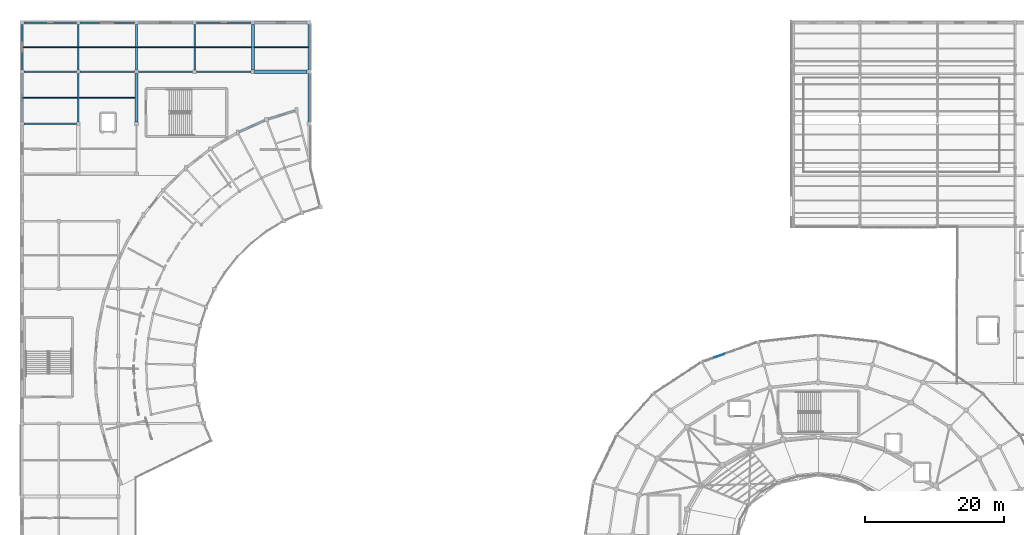
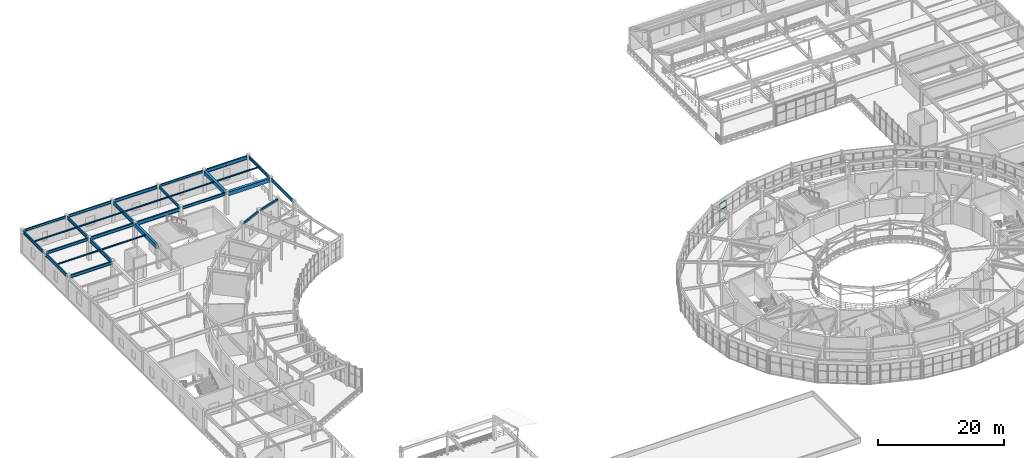
# One storey, part 51 of 112: 30 beams, 3 members, 1 element without a shape of its own.
"""IFC4 building model written with IfcOpenShell, lengths in metres."""

from ifc_helpers import new_model, si_unit, direction, frame, origin, origin_2d, place, context, subcontext, project, spatial, rectangle, hollow_rectangle, i_section, extrude, material, material_profile, profile_set, type_object, element, aggregate, save


model = new_model("IFC4")

# Units and contexts
model_context = context("Model", 3, precision=1e-05, world=origin(), true_north=direction((0.0, 1.0)))
body_context = subcontext(model_context, "Body", "Model", "MODEL_VIEW")
ifc_project = project(units=[si_unit("LENGTHUNIT", "METRE"), si_unit("AREAUNIT", "SQUARE_METRE"), si_unit("VOLUMEUNIT", "CUBIC_METRE"), si_unit("PLANEANGLEUNIT", "RADIAN"), si_unit("MASSUNIT", "GRAM", prefix="KILO")], contexts=[model_context])

# Site, building, storey
site_placement = place(None, origin())
site = spatial("IfcSite", under=ifc_project, at=site_placement, CompositionType="ELEMENT")
building_placement = place(site_placement, origin())
building = spatial("IfcBuilding", under=site, at=building_placement, Name="Cinderbank Siding Concert Hall", CompositionType="ELEMENT")
storey_placement = place(building_placement, frame((0.0, 0.0, 10.199951171875)))
storey = spatial("IfcBuildingStorey", under=building, at=storey_placement, Name="L03", CompositionType="ELEMENT", Elevation=10.199951171875)

# Beams
ifc_material_1 = material(Name="Reinforced concrete AS 3600 N50 (50 MPa)", Category="concrete")
ifc_material_profile_1 = material_profile(ifc_material_1, rectangle(XDim=0.449951171875, YDim=0.75, at=origin_2d()), Name="RC-BM-450x750", Category="LoadBearing")
ifc_profile_set_1 = profile_set([ifc_material_profile_1], Name="Reinforced concrete AS 3600 N50 (50 MPa)")
beam_type_1 = type_object("IfcBeamType", Name="BM-RC750 RC-BM-450x750", PredefinedType="BEAM", material=ifc_profile_set_1)
beam_1_placement = place(storey_placement, frame((23.60009765625, 103.56689453125, 3.886962890625), z_axis=(0.0, 1.0, 0.0), x_axis=(-1.0, 0.0, 0.0)))
element("IfcBeam", 1, at=beam_1_placement, inside=storey, type_object=beam_type_1, Name="L03 Beam BM-RC750 #1774", PredefinedType="BEAM", context=body_context, shape_type="SweptSolid", body=[
    extrude(rectangle(XDim=0.449951171875, YDim=0.75, at=origin_2d()), origin(), (0.0, 0.0, 1.0), 6.966064453125),
])
beam_2_placement = place(storey_placement, frame((40.6669921875, 110.800048828125, 3.886962890625), z_axis=(1.0, 0.0, 0.0), x_axis=(0.0, 1.0, 0.0)))
element("IfcBeam", 2, at=beam_2_placement, inside=storey, type_object=beam_type_1, Name="L03 Beam BM-RC750 #1781", PredefinedType="BEAM", context=body_context, shape_type="SweptSolid", body=[
    extrude(rectangle(XDim=0.449951171875, YDim=0.75, at=origin_2d()), origin(), (0.0, 0.0, 1.0), 7.56591796875),
])
beam_3_placement = place(storey_placement, frame((40.39990234375, 111.06689453125, 3.886962890625), z_axis=(0.0, 1.0, 0.0), x_axis=(-1.0, 0.0, 0.0)))
element("IfcBeam", 3, at=beam_3_placement, inside=storey, type_object=beam_type_1, Name="L03 Beam BM-RC750 #1782", PredefinedType="BEAM", context=body_context, shape_type="SweptSolid", body=[
    extrude(rectangle(XDim=0.449951171875, YDim=0.75, at=origin_2d()), origin(), (0.0, 0.0, 1.0), 6.566162109375),
])
ifc_material_2 = material(Name="Structural steel AS/NZS 3679.1 Grade 350 (340 MPa)", Category="steel")
ifc_material_profile_2 = material_profile(ifc_material_2, i_section(OverallWidth=0.18994140625, OverallDepth=0.45751953125, WebThickness=0.009033203125, FlangeThickness=0.014404296875, at=origin_2d()), Name="460UB74.6", Category="LoadBearing")
ifc_profile_set_2 = profile_set([ifc_material_profile_2], Name="Structural steel AS/NZS 3679.1 Grade 350 (340 MPa)")
beam_type_2 = type_object("IfcBeamType", Name="BM-UB460 460UB74.6", PredefinedType="BEAM", material=ifc_profile_set_2)
beam_4_placement = place(storey_placement, frame((7.366943359375, 117.89990234375, 4.033447265625), z_axis=(1.0, 0.0, 0.0), x_axis=(0.0, 1.0, 0.0)))
element("IfcBeam", 4, at=beam_4_placement, inside=storey, type_object=beam_type_2, Name="L03 Beam BM-UB460 #1766", PredefinedType="BEAM", context=body_context, shape_type="SweptSolid", body=[
    extrude(i_section(OverallWidth=0.18994140625, OverallDepth=0.45751953125, WebThickness=0.009033203125, FlangeThickness=0.014404296875, at=origin_2d()), origin(), (0.0, 0.0, 1.0), 7.566162109375),
])
beam_5_placement = place(storey_placement, frame((32.26708984375, 117.89990234375, 4.033447265625), z_axis=(1.0, 0.0, 0.0), x_axis=(0.0, 1.0, 0.0)))
element("IfcBeam", 5, at=beam_5_placement, inside=storey, type_object=beam_type_2, Name="L03 Beam BM-UB460 #1780", PredefinedType="BEAM", context=body_context, shape_type="SweptSolid", body=[
    extrude(i_section(OverallWidth=0.18994140625, OverallDepth=0.45751953125, WebThickness=0.009033203125, FlangeThickness=0.014404296875, at=origin_2d()), origin(), (0.0, 0.0, 1.0), 7.865966796875),
])
ifc_material_profile_3 = material_profile(ifc_material_2, i_section(OverallWidth=0.208984375, OverallDepth=0.5283203125, WebThickness=0.009521484375, FlangeThickness=0.01318359375, at=origin_2d()), Name="530UB82.0", Category="LoadBearing")
ifc_profile_set_3 = profile_set([ifc_material_profile_3], Name="Structural steel AS/NZS 3679.1 Grade 350 (340 MPa)")
beam_type_3 = type_object("IfcBeamType", Name="BM-UB530 530UB82.0", PredefinedType="BEAM", material=ifc_profile_set_3)
beam_6_placement = place(storey_placement, frame((7.366943359375, 110.800048828125, 3.998046875), z_axis=(1.0, 0.0, 0.0), x_axis=(0.0, 1.0, 0.0)))
element("IfcBeam", 6, at=beam_6_placement, inside=storey, type_object=beam_type_3, Name="L03 Beam BM-UB530 #1764", PredefinedType="BEAM", context=body_context, shape_type="SweptSolid", body=[
    extrude(i_section(OverallWidth=0.208984375, OverallDepth=0.5283203125, WebThickness=0.009521484375, FlangeThickness=0.01318359375, at=origin_2d()), origin(), (0.0, 0.0, 1.0), 7.566162109375),
])
beam_7_placement = place(storey_placement, frame((7.10009765625, 111.06689453125, 3.998046875), z_axis=(0.0, 1.0, 0.0), x_axis=(-1.0, 0.0, 0.0)))
element("IfcBeam", 7, at=beam_7_placement, inside=storey, type_object=beam_type_3, Name="L03 Beam BM-UB530 #1765", PredefinedType="BEAM", context=body_context, shape_type="SweptSolid", body=[
    extrude(i_section(OverallWidth=0.208984375, OverallDepth=0.5283203125, WebThickness=0.009521484375, FlangeThickness=0.01318359375, at=origin_2d()), origin(), (0.0, 0.0, 1.0), 6.566162109375),
])
for number, where, z_axis, x_axis, name in (
    (8, (15.467041015625, 117.89990234375, 3.998046875), (1.0, 0.0, 0.0), (0.0, 1.0, 0.0), "L03 Beam BM-UB530 #1772"),
    (9, (32.26708984375, 110.800048828125, 3.998046875), (1.0, 0.0, 0.0), (0.0, 1.0, 0.0), "L03 Beam BM-UB530 #1778"),
):
    element("IfcBeam", number, at=place(storey_placement, frame(where, z_axis=z_axis, x_axis=x_axis)), inside=storey, type_object=beam_type_3, Name=name, PredefinedType="BEAM", context=body_context, shape_type="SweptSolid", body=[
        extrude(i_section(OverallWidth=0.208984375, OverallDepth=0.5283203125, WebThickness=0.009521484375, FlangeThickness=0.01318359375, at=origin_2d()), origin(), (0.0, 0.0, 1.0), 7.865966796875),
    ])
for number, where, z_axis, x_axis, name in (
    (10, (32.0, 111.06689453125, 3.998046875), (0.0, 1.0, 0.0), (-1.0, 0.0, 0.0), "L03 Beam BM-UB530 #1779"),
    (11, (48.5, 111.06689453125, 3.998046875), (0.0, 1.0, 0.0), (-1.0, 0.0, 0.0), "L03 Beam BM-UB530 #1785"),
):
    element("IfcBeam", number, at=place(storey_placement, frame(where, z_axis=z_axis, x_axis=x_axis)), inside=storey, type_object=beam_type_3, Name=name, PredefinedType="BEAM", context=body_context, shape_type="SweptSolid", body=[
        extrude(i_section(OverallWidth=0.208984375, OverallDepth=0.5283203125, WebThickness=0.009521484375, FlangeThickness=0.01318359375, at=origin_2d()), origin(), (0.0, 0.0, 1.0), 6.566162109375),
    ])
ifc_material_profile_4 = material_profile(ifc_material_2, i_section(OverallWidth=0.22802734375, OverallDepth=0.602294921875, WebThickness=0.010498046875, FlangeThickness=0.014892578125, at=origin_2d()), Name="610UB101", Category="LoadBearing")
ifc_profile_set_4 = profile_set([ifc_material_profile_4], Name="Structural steel AS/NZS 3679.1 Grade 350 (340 MPa)")
beam_type_4 = type_object("IfcBeamType", Name="BM-UB610 610UB101", PredefinedType="BEAM", material=ifc_profile_set_4)
beam_8_placement = place(storey_placement, frame((7.366943359375, 103.300048828125, 3.9609375), z_axis=(1.0, 0.0, 0.0), x_axis=(0.0, 1.0, 0.0)))
element("IfcBeam", 12, at=beam_8_placement, inside=storey, type_object=beam_type_4, Name="L03 Beam BM-UB610 #1762", PredefinedType="BEAM", context=body_context, shape_type="SweptSolid", body=[
    extrude(i_section(OverallWidth=0.22802734375, OverallDepth=0.602294921875, WebThickness=0.010498046875, FlangeThickness=0.014892578125, at=origin_2d()), origin(), (0.0, 0.0, 1.0), 7.566162109375),
])
beam_9_placement = place(storey_placement, frame((7.10009765625, 103.56689453125, 3.9609375), z_axis=(0.0, 1.0, 0.0), x_axis=(-1.0, 0.0, 0.0)))
element("IfcBeam", 13, at=beam_9_placement, inside=storey, type_object=beam_type_4, Name="L03 Beam BM-UB610 #1763", PredefinedType="BEAM", context=body_context, shape_type="SweptSolid", body=[
    extrude(i_section(OverallWidth=0.22802734375, OverallDepth=0.602294921875, WebThickness=0.010498046875, FlangeThickness=0.014892578125, at=origin_2d()), origin(), (0.0, 0.0, 1.0), 6.966064453125),
])
beam_10_placement = place(storey_placement, frame((15.467041015625, 110.800048828125, 3.9609375), z_axis=(1.0, 0.0, 0.0), x_axis=(0.0, 1.0, 0.0)))
element("IfcBeam", 14, at=beam_10_placement, inside=storey, type_object=beam_type_4, Name="L03 Beam BM-UB610 #1770", PredefinedType="BEAM", context=body_context, shape_type="SweptSolid", body=[
    extrude(i_section(OverallWidth=0.22802734375, OverallDepth=0.602294921875, WebThickness=0.010498046875, FlangeThickness=0.014892578125, at=origin_2d()), origin(), (0.0, 0.0, 1.0), 7.865966796875),
])
beam_11_placement = place(storey_placement, frame((15.199951171875, 111.06689453125, 3.9609375), z_axis=(0.0, 1.0, 0.0), x_axis=(-1.0, 0.0, 0.0)))
element("IfcBeam", 15, at=beam_11_placement, inside=storey, type_object=beam_type_4, Name="L03 Beam BM-UB610 #1771", PredefinedType="BEAM", context=body_context, shape_type="SweptSolid", body=[
    extrude(i_section(OverallWidth=0.22802734375, OverallDepth=0.602294921875, WebThickness=0.010498046875, FlangeThickness=0.014892578125, at=origin_2d()), origin(), (0.0, 0.0, 1.0), 6.566162109375),
])
beam_12_placement = place(storey_placement, frame((23.866943359375, 117.89990234375, 3.9609375), z_axis=(1.0, 0.0, 0.0), x_axis=(0.0, 1.0, 0.0)))
element("IfcBeam", 16, at=beam_12_placement, inside=storey, type_object=beam_type_4, Name="L03 Beam BM-UB610 #1777", PredefinedType="BEAM", context=body_context, shape_type="SweptSolid", body=[
    extrude(i_section(OverallWidth=0.22802734375, OverallDepth=0.602294921875, WebThickness=0.010498046875, FlangeThickness=0.014892578125, at=origin_2d()), origin(), (0.0, 0.0, 1.0), 7.865966796875),
])
beam_13_placement = place(storey_placement, frame((48.5, 103.56689453125, 3.9609375), z_axis=(0.0, 1.0, 0.0), x_axis=(-1.0, 0.0, 0.0)))
element("IfcBeam", 17, at=beam_13_placement, inside=storey, type_object=beam_type_4, Name="L03 Beam BM-UB610 #1784", PredefinedType="BEAM", context=body_context, shape_type="SweptSolid", body=[
    extrude(i_section(OverallWidth=0.22802734375, OverallDepth=0.602294921875, WebThickness=0.010498046875, FlangeThickness=0.014892578125, at=origin_2d()), origin(), (0.0, 0.0, 1.0), 6.966064453125),
])
ifc_material_3 = material(Name="Structural steel welded plate section AS/NZS 3679.2 / AS/NZS 3678 Grade 350 (340 MPa)", Category="steel")
ifc_material_profile_5 = material_profile(ifc_material_3, i_section(OverallWidth=0.25, OverallDepth=0.699951171875, WebThickness=0.010009765625, FlangeThickness=0.01611328125, at=origin_2d()), Name="700WB130", Category="LoadBearing")
ifc_profile_set_5 = profile_set([ifc_material_profile_5], Name="Structural steel welded plate section AS/NZS 3679.2 / AS/NZS 3678 Grade 350 (340 MPa)")
beam_type_5 = type_object("IfcBeamType", Name="BM-WB700 700WB130", PredefinedType="BEAM", material=ifc_profile_set_5)
beam_14_placement = place(storey_placement, frame((15.199951171875, 103.56689453125, 3.912109375), z_axis=(0.0, 1.0, 0.0), x_axis=(-1.0, 0.0, 0.0)))
element("IfcBeam", 18, at=beam_14_placement, inside=storey, type_object=beam_type_5, Name="L03 Beam BM-WB700 #1769", PredefinedType="BEAM", context=body_context, shape_type="SweptSolid", body=[
    extrude(i_section(OverallWidth=0.25, OverallDepth=0.699951171875, WebThickness=0.010009765625, FlangeThickness=0.01611328125, at=origin_2d()), origin(), (0.0, 0.0, 1.0), 6.966064453125),
])
beam_15_placement = place(storey_placement, frame((23.866943359375, 110.800048828125, 3.912109375), z_axis=(1.0, 0.0, 0.0), x_axis=(0.0, 1.0, 0.0)))
element("IfcBeam", 19, at=beam_15_placement, inside=storey, type_object=beam_type_5, Name="L03 Beam BM-WB700 #1775", PredefinedType="BEAM", context=body_context, shape_type="SweptSolid", body=[
    extrude(i_section(OverallWidth=0.25, OverallDepth=0.699951171875, WebThickness=0.010009765625, FlangeThickness=0.01611328125, at=origin_2d()), origin(), (0.0, 0.0, 1.0), 7.865966796875),
])
beam_16_placement = place(storey_placement, frame((23.60009765625, 111.06689453125, 3.912109375), z_axis=(0.0, 1.0, 0.0), x_axis=(-1.0, 0.0, 0.0)))
element("IfcBeam", 20, at=beam_16_placement, inside=storey, type_object=beam_type_5, Name="L03 Beam BM-WB700 #1776", PredefinedType="BEAM", context=body_context, shape_type="SweptSolid", body=[
    extrude(i_section(OverallWidth=0.25, OverallDepth=0.699951171875, WebThickness=0.010009765625, FlangeThickness=0.01611328125, at=origin_2d()), origin(), (0.0, 0.0, 1.0), 6.566162109375),
])
beam_17_placement = place(storey_placement, frame((40.6669921875, 117.89990234375, 3.912109375), z_axis=(1.0, 0.0, 0.0), x_axis=(0.0, 1.0, 0.0)))
element("IfcBeam", 21, at=beam_17_placement, inside=storey, type_object=beam_type_5, Name="L03 Beam BM-WB700 #1783", PredefinedType="BEAM", context=body_context, shape_type="SweptSolid", body=[
    extrude(i_section(OverallWidth=0.25, OverallDepth=0.699951171875, WebThickness=0.010009765625, FlangeThickness=0.01611328125, at=origin_2d()), origin(), (0.0, 0.0, 1.0), 7.56591796875),
])

# Curtain wall, members
ifc_material_4 = material(Name="Anodised aluminium alloy 6063-T6", Category="aluminium")
curtain_wall_type = type_object("IfcCurtainWallType", Name="CW-08 Unitised Acoustic Curtain Wall 6400x3800", PredefinedType="NOTDEFINED", material=ifc_material_4)
curtain_wall_placement = place(storey_placement, origin())
curtain_wall = element("IfcCurtainWall", 22, at=curtain_wall_placement, inside=storey, type_object=curtain_wall_type, Name="L03 Curtain Wall CW-08 #32", PredefinedType="NOTDEFINED")
ifc_material_profile_6 = material_profile(ifc_material_4, rectangle(XDim=0.06005859375, YDim=0.1201171875, at=origin_2d()), Name="ALU-TRAN-60x120", Category="LoadBearing")
ifc_profile_set_6 = profile_set([ifc_material_profile_6], Name="Anodised aluminium alloy 6063-T6")
member_type = type_object("IfcMemberType", Name="CW-TR1 Transom 60x120", PredefinedType="USERDEFINED", material=ifc_profile_set_6)
member_1_placement = place(storey_placement, frame((108.407470703125, 70.080322265625, 0.06005859375), z_axis=(-0.942376945381, -0.334552974602, 0.0), x_axis=(0.334552974602, -0.942376945381, 0.0)))
member_1 = element("IfcMember", 23, at=member_1_placement, type_object=member_type, Name="CW-L03-032 Transom 3-0", ObjectType="TRANSOM", PredefinedType="USERDEFINED", context=body_context, shape_type="SweptSolid", body=[
    extrude(rectangle(XDim=0.06005859375, YDim=0.1201171875, at=origin_2d()), origin(), (0.0, 0.0, 1.0), 1.466064453125),
])
member_2_placement = place(storey_placement, frame((108.407470703125, 70.080322265625, 2.2734375), z_axis=(-0.942376945381, -0.334552974602, 0.0), x_axis=(0.334552974602, -0.942376945381, 0.0)))
member_2 = element("IfcMember", 24, at=member_2_placement, type_object=member_type, Name="CW-L03-032 Transom 3-1", ObjectType="TRANSOM", PredefinedType="USERDEFINED", context=body_context, shape_type="SweptSolid", body=[
    extrude(rectangle(XDim=0.06005859375, YDim=0.1201171875, at=origin_2d()), origin(), (0.0, 0.0, 1.0), 1.466064453125),
])
member_3_placement = place(storey_placement, frame((108.407470703125, 70.080322265625, 3.60693359375), z_axis=(-0.942376945381, -0.334552974602, 0.0), x_axis=(0.334552974602, -0.942376945381, 0.0)))
member_3 = element("IfcMember", 25, at=member_3_placement, type_object=member_type, Name="CW-L03-032 Transom 3-2", ObjectType="TRANSOM", PredefinedType="USERDEFINED", context=body_context, shape_type="SweptSolid", body=[
    extrude(rectangle(XDim=0.06005859375, YDim=0.1201171875, at=origin_2d()), origin(), (0.0, 0.0, 1.0), 1.466064453125),
])
aggregate(curtain_wall, [member_1, member_2, member_3])

# Beams
ifc_material_profile_7 = material_profile(ifc_material_2, i_section(OverallWidth=0.14599609375, OverallDepth=0.251708984375, WebThickness=0.006103515625, FlangeThickness=0.008544921875, at=origin_2d()), Name="250UB31.4", Category="LoadBearing")
ifc_profile_set_7 = profile_set([ifc_material_profile_7], Name="Structural steel AS/NZS 3679.1 Grade 350 (340 MPa)")
beam_type_6 = type_object("IfcBeamType", Name="JS-UB250 250UB31.4", PredefinedType="JOIST", material=ifc_profile_set_7)
beam_18_placement = place(storey_placement, frame((7.2060546875, 107.050048828125, 4.13623046875), z_axis=(1.0, 0.0, 0.0), x_axis=(0.0, 1.0, 0.0)))
element("IfcBeam", 26, at=beam_18_placement, inside=storey, type_object=beam_type_6, Name="L03 Beam JS-UB250 #1831", PredefinedType="JOIST", context=body_context, shape_type="SweptSolid", body=[
    extrude(i_section(OverallWidth=0.14599609375, OverallDepth=0.251708984375, WebThickness=0.006103515625, FlangeThickness=0.008544921875, at=origin_2d()), origin(), (0.0, 0.0, 1.0), 7.876953125),
])
beam_19_placement = place(storey_placement, frame((7.196533203125, 114.35009765625, 4.13623046875), z_axis=(1.0, 0.0, 0.0), x_axis=(0.0, 1.0, 0.0)))
element("IfcBeam", 27, at=beam_19_placement, inside=storey, type_object=beam_type_6, Name="L03 Beam JS-UB250 #1832", PredefinedType="JOIST", context=body_context, shape_type="SweptSolid", body=[
    extrude(i_section(OverallWidth=0.14599609375, OverallDepth=0.251708984375, WebThickness=0.006103515625, FlangeThickness=0.008544921875, at=origin_2d()), origin(), (0.0, 0.0, 1.0), 7.8974609375),
])
beam_20_placement = place(storey_placement, frame((15.31689453125, 107.050048828125, 4.13623046875), z_axis=(1.0, 0.0, 0.0), x_axis=(0.0, 1.0, 0.0)))
element("IfcBeam", 28, at=beam_20_placement, inside=storey, type_object=beam_type_6, Name="L03 Beam JS-UB250 #1834", PredefinedType="JOIST", context=body_context, shape_type="SweptSolid", body=[
    extrude(i_section(OverallWidth=0.14599609375, OverallDepth=0.251708984375, WebThickness=0.006103515625, FlangeThickness=0.008544921875, at=origin_2d()), origin(), (0.0, 0.0, 1.0), 8.066162109375),
])
beam_21_placement = place(storey_placement, frame((15.305908203125, 114.35009765625, 4.13623046875), z_axis=(1.0, 0.0, 0.0), x_axis=(0.0, 1.0, 0.0)))
element("IfcBeam", 29, at=beam_21_placement, inside=storey, type_object=beam_type_6, Name="L03 Beam JS-UB250 #1835", PredefinedType="JOIST", context=body_context, shape_type="SweptSolid", body=[
    extrude(i_section(OverallWidth=0.14599609375, OverallDepth=0.251708984375, WebThickness=0.006103515625, FlangeThickness=0.008544921875, at=origin_2d()), origin(), (0.0, 0.0, 1.0), 8.177001953125),
])
beam_22_placement = place(storey_placement, frame((23.717041015625, 114.35009765625, 4.13623046875), z_axis=(1.0, 0.0, 0.0), x_axis=(0.0, 1.0, 0.0)))
element("IfcBeam", 30, at=beam_22_placement, inside=storey, type_object=beam_type_6, Name="L03 Beam JS-UB250 #1836", PredefinedType="JOIST", context=body_context, shape_type="SweptSolid", body=[
    extrude(i_section(OverallWidth=0.14599609375, OverallDepth=0.251708984375, WebThickness=0.006103515625, FlangeThickness=0.008544921875, at=origin_2d()), origin(), (0.0, 0.0, 1.0), 8.1865234375),
])
beam_23_placement = place(storey_placement, frame((32.096435546875, 114.35009765625, 4.13623046875), z_axis=(1.0, 0.0, 0.0), x_axis=(0.0, 1.0, 0.0)))
element("IfcBeam", 31, at=beam_23_placement, inside=storey, type_object=beam_type_6, Name="L03 Beam JS-UB250 #1837", PredefinedType="JOIST", context=body_context, shape_type="SweptSolid", body=[
    extrude(i_section(OverallWidth=0.14599609375, OverallDepth=0.251708984375, WebThickness=0.006103515625, FlangeThickness=0.008544921875, at=origin_2d()), origin(), (0.0, 0.0, 1.0), 8.086669921875),
])
beam_24_placement = place(storey_placement, frame((40.616943359375, 114.35009765625, 4.13623046875), z_axis=(1.0, 0.0, 0.0), x_axis=(0.0, 1.0, 0.0)))
element("IfcBeam", 32, at=beam_24_placement, inside=storey, type_object=beam_type_6, Name="L03 Beam JS-UB250 #1838", PredefinedType="JOIST", context=body_context, shape_type="SweptSolid", body=[
    extrude(i_section(OverallWidth=0.14599609375, OverallDepth=0.251708984375, WebThickness=0.006103515625, FlangeThickness=0.008544921875, at=origin_2d()), origin(), (0.0, 0.0, 1.0), 7.78662109375),
])
ifc_material_5 = material(Name="Structural steel hollow section AS/NZS 1163 Grade C350L0 (350 MPa)", Category="steel")
ifc_material_profile_8 = material_profile(ifc_material_5, hollow_rectangle(XDim=0.25, YDim=0.35009765625, WallThickness=0.012451171875, at=origin_2d()), Name="350x250x12.5RHS", Category="LoadBearing")
ifc_profile_set_8 = profile_set([ifc_material_profile_8], Name="Structural steel hollow section AS/NZS 1163 Grade C350L0 (350 MPa)")
beam_type_7 = type_object("IfcBeamType", Name="SP-RHS350 350x250x12.5RHS", PredefinedType="SPANDREL", material=ifc_profile_set_8)
beam_25_placement = place(storey_placement, frame((46.527099609375, 105.201904296875, 4.067138671875), z_axis=(-0.954238908142, -0.299045324639, 0.0), x_axis=(0.299045324639, -0.954238908142, 0.0)))
element("IfcBeam", 33, at=beam_25_placement, inside=storey, type_object=beam_type_7, Name="L03 Beam SP-RHS350 #982", PredefinedType="SPANDREL", context=body_context, shape_type="SweptSolid", body=[
    extrude(hollow_rectangle(XDim=0.25, YDim=0.35009765625, WallThickness=0.012451171875, at=origin_2d()), origin(), (0.0, 0.0, 1.0), 4.095947265625),
])
beam_26_placement = place(storey_placement, frame((42.120361328125, 103.787841796875, 4.067138671875), z_axis=(-0.912119926191, -0.409923456569, 0.0), x_axis=(0.409923456569, -0.912119926191, 0.0)))
element("IfcBeam", 34, at=beam_26_placement, inside=storey, type_object=beam_type_7, Name="L03 Beam SP-RHS350 #991", PredefinedType="SPANDREL", context=body_context, shape_type="SweptSolid", body=[
    extrude(hollow_rectangle(XDim=0.25, YDim=0.35009765625, WallThickness=0.012451171875, at=origin_2d()), origin(), (0.0, 0.0, 1.0), 4.095703125),
])

save(model, "model.ifc")
